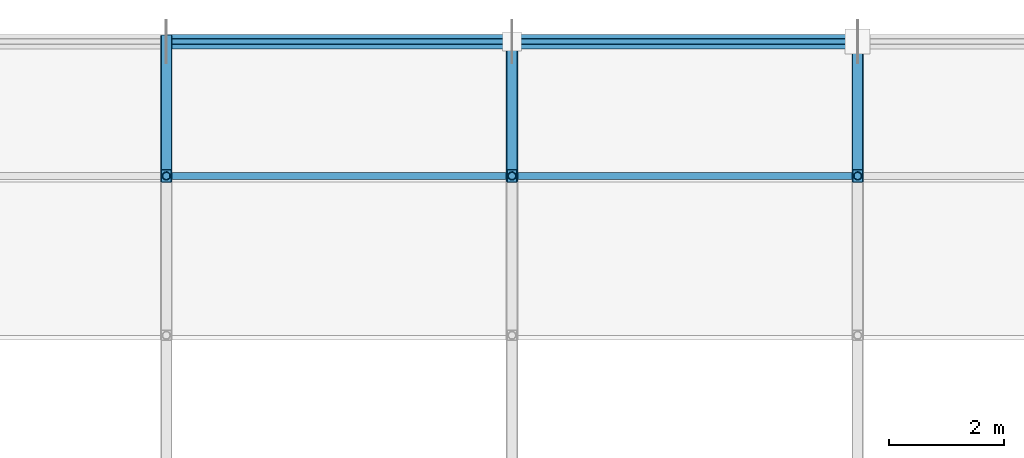
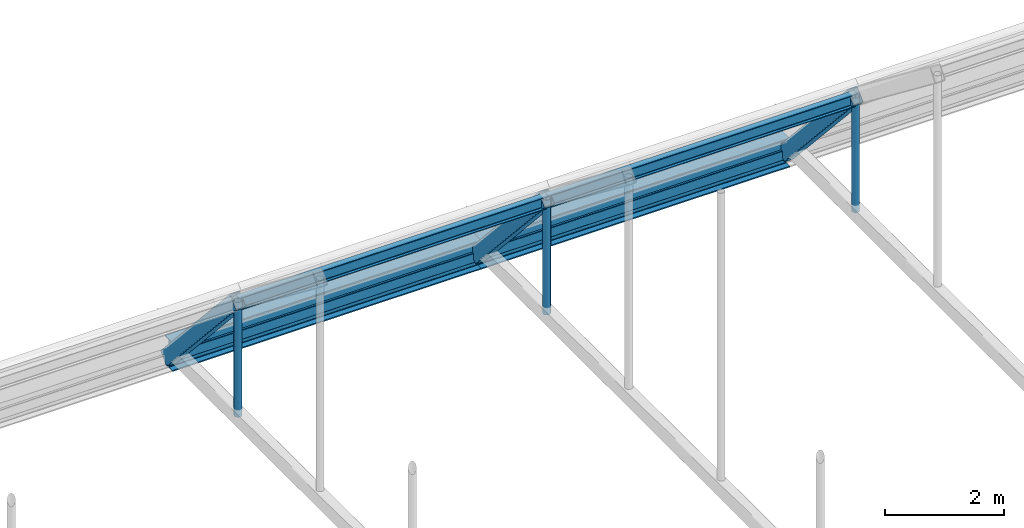
# One storey, part 38 of 63: 7 members, 5 beams.
"""IFC4 building model written with IfcOpenShell, lengths in metres."""

from ifc_helpers import new_model, si_unit, direction, frame, origin, origin_2d, place, context, subcontext, project, spatial, hollow_rectangle, hollow_circle, i_section, extrude, material, material_profile, profile_set, type_object, element, save


model = new_model("IFC4")

# Units and contexts
model_context = context("Model", 3, precision=1e-05, world=origin(), true_north=direction((0.0, 1.0)))
body_context = subcontext(model_context, "Body", "Model", "MODEL_VIEW")
ifc_project = project(units=[si_unit("LENGTHUNIT", "METRE"), si_unit("AREAUNIT", "SQUARE_METRE"), si_unit("VOLUMEUNIT", "CUBIC_METRE"), si_unit("PLANEANGLEUNIT", "RADIAN"), si_unit("MASSUNIT", "GRAM", prefix="KILO")], contexts=[model_context])

# Site, building, storey
site_placement = place(None, origin())
site = spatial("IfcSite", under=ifc_project, at=site_placement, CompositionType="ELEMENT")
building_placement = place(site_placement, origin())
building = spatial("IfcBuilding", under=site, at=building_placement, Name="Varnakota Square Police Headquarters", CompositionType="ELEMENT")
storey_placement = place(building_placement, frame((0.0, 0.0, 22.199951171875)))
storey = spatial("IfcBuildingStorey", under=building, at=storey_placement, Name="L05", CompositionType="ELEMENT", Elevation=22.199951171875)

# Beams
ifc_material = material(Name="Steel IS 2062 Grade 350", Category="steel")
ifc_material_profile_1 = material_profile(ifc_material, i_section(OverallWidth=0.25, OverallDepth=0.60009765625, WebThickness=0.01171875, FlangeThickness=0.023681640625, FilletRadius=0.01708984375, at=origin_2d()), Name="ISWB 600")
ifc_profile_set_1 = profile_set([ifc_material_profile_1], Name="Steel IS 2062 Grade 350")
beam_type_1 = type_object("IfcBeamType", Name="BM-ISWB600", PredefinedType="BEAM", material=ifc_profile_set_1)
for number, where, z_axis, x_axis, name in (
    (1, (72.0, 99.0, -0.300048828125), (1.0, 0.0, 0.0), (0.0, 1.0, 0.0), "Vault V2 north ring beam"),
    (2, (78.0, 99.0, -0.300048828125), (1.0, 0.0, 0.0), (0.0, 1.0, 0.0), "Vault V2 north ring beam"),
):
    element("IfcBeam", number, at=place(storey_placement, frame(where, z_axis=z_axis, x_axis=x_axis)), inside=storey, type_object=beam_type_1, Name=name, PredefinedType="BEAM", context=body_context, shape_type="SweptSolid", body=[
        extrude(i_section(OverallWidth=0.25, OverallDepth=0.60009765625, WebThickness=0.01171875, FlangeThickness=0.023681640625, FilletRadius=0.01708984375, at=origin_2d()), origin(), (0.0, 0.0, 1.0), 6.0),
    ])
ifc_material_profile_2 = material_profile(ifc_material, hollow_rectangle(XDim=0.199951171875, YDim=0.300048828125, WallThickness=0.011962890625, InnerFilletRadius=0.011962890625, OuterFilletRadius=0.02392578125, at=origin_2d()), Name="RHS 300x200x12")
ifc_profile_set_2 = profile_set([ifc_material_profile_2], Name="Steel IS 2062 Grade 350")
beam_type_2 = type_object("IfcBeamType", Name="BM-VR-RHS300", PredefinedType="BEAM", material=ifc_profile_set_2)
for number, where, z_axis, x_axis, name in (
    (3, (72.0, 96.668212890625, 2.20654296875), (0.0, 0.671520631111, -0.740985858159), (-1.0, 0.0, 0.0), "Barrel vault arch rib chord VR-V2-R03-S10"),
    (4, (78.0, 96.668212890625, 2.20654296875), (0.0, 0.671520631111, -0.740985858159), (-1.0, 0.0, 0.0), "Barrel vault arch rib chord VR-V2-R04-S10"),
    (5, (84.0, 96.668212890625, 2.20654296875), (0.0, 0.671520631111, -0.740985858159), (-1.0, 0.0, 0.0), "Barrel vault arch rib chord VR-V2-R05-S10"),
):
    element("IfcBeam", number, at=place(storey_placement, frame(where, z_axis=z_axis, x_axis=x_axis)), inside=storey, type_object=beam_type_2, Name=name, PredefinedType="BEAM", context=body_context, shape_type="SweptSolid", body=[
        extrude(hollow_rectangle(XDim=0.199951171875, YDim=0.300048828125, WallThickness=0.011962890625, InnerFilletRadius=0.011962890625, OuterFilletRadius=0.02392578125, at=origin_2d()), origin(), (0.0, 0.0, 1.0), 3.472412109375),
    ])

# Members
ifc_material_profile_3 = material_profile(ifc_material, hollow_circle(Radius=0.06982421875, WallThickness=0.006103515625, at=origin_2d()), Name="CHS 139.7x6.0")
ifc_profile_set_3 = profile_set([ifc_material_profile_3], Name="Steel IS 2062 Grade 350")
member_type_1 = type_object("IfcMemberType", Name="MEM-HNG-CHS139", PredefinedType="STRUT", material=ifc_profile_set_3)
for number, where, z_axis, x_axis, name in (
    (6, (72.0, 96.668212890625, -0.14990234375), (0.0, 0.0, 1.0), (1.0, 0.0, 0.0), "Barrel vault hanger strut V2-R03-N9"),
    (7, (78.0, 96.668212890625, -0.14990234375), (0.0, 0.0, 1.0), (1.0, 0.0, 0.0), "Barrel vault hanger strut V2-R04-N9"),
    (8, (84.0, 96.668212890625, -0.14990234375), (0.0, 0.0, 1.0), (1.0, 0.0, 0.0), "Barrel vault hanger strut V2-R05-N9"),
):
    element("IfcMember", number, at=place(storey_placement, frame(where, z_axis=z_axis, x_axis=x_axis)), inside=storey, type_object=member_type_1, Name=name, PredefinedType="STRUT", context=body_context, shape_type="SweptSolid", body=[
        extrude(hollow_circle(Radius=0.06982421875, WallThickness=0.006103515625, at=origin_2d()), origin(), (0.0, 0.0, 1.0), 2.3564453125),
    ])
ifc_material_profile_4 = material_profile(ifc_material, i_section(OverallWidth=0.125, OverallDepth=0.25, WebThickness=0.0068359375, FlangeThickness=0.012451171875, FilletRadius=0.012939453125, at=origin_2d()), Name="ISMB 250")
ifc_profile_set_4 = profile_set([ifc_material_profile_4], Name="Steel IS 2062 Grade 350")
member_type_2 = type_object("IfcMemberType", Name="MEM-PUR-ISMB250", PredefinedType="PURLIN", material=ifc_profile_set_4)
for number, where, z_axis, x_axis, name in (
    (9, (72.0, 96.668212890625, 2.156494140625), (1.0, 0.0, 0.0), (0.0, 1.0, 0.0), "Vault roof purlin V2-B03-N09"),
    (10, (78.0, 96.668212890625, 2.156494140625), (1.0, 0.0, 0.0), (0.0, 1.0, 0.0), "Vault roof purlin V2-B04-N09"),
):
    element("IfcMember", number, at=place(storey_placement, frame(where, z_axis=z_axis, x_axis=x_axis)), inside=storey, type_object=member_type_2, Name=name, PredefinedType="PURLIN", context=body_context, shape_type="SweptSolid", body=[
        extrude(i_section(OverallWidth=0.125, OverallDepth=0.25, WebThickness=0.0068359375, FlangeThickness=0.012451171875, FilletRadius=0.012939453125, at=origin_2d()), origin(), (0.0, 0.0, 1.0), 6.0),
    ])
ifc_material_profile_5 = material_profile(ifc_material, hollow_rectangle(XDim=0.10009765625, YDim=0.199951171875, WallThickness=0.008056640625, InnerFilletRadius=0.008056640625, OuterFilletRadius=0.01611328125, at=origin_2d()), Name="RHS 200x100x8")
ifc_profile_set_5 = profile_set([ifc_material_profile_5], Name="Steel IS 2062 Grade 350")
member_type_3 = type_object("IfcMemberType", Name="MEM-PUR-RHS200", PredefinedType="PURLIN", material=ifc_profile_set_5)
for number, where, z_axis, x_axis, name in (
    (11, (72.0, 99.0, -0.377685546875), (1.0, 0.0, 0.0), (0.0, 1.0, 0.0), "Vault roof purlin V2-B03-N10"),
    (12, (78.0, 99.0, -0.377685546875), (1.0, 0.0, 0.0), (0.0, 1.0, 0.0), "Vault roof purlin V2-B04-N10"),
):
    element("IfcMember", number, at=place(storey_placement, frame(where, z_axis=z_axis, x_axis=x_axis)), inside=storey, type_object=member_type_3, Name=name, PredefinedType="PURLIN", context=body_context, shape_type="SweptSolid", body=[
        extrude(hollow_rectangle(XDim=0.10009765625, YDim=0.199951171875, WallThickness=0.008056640625, InnerFilletRadius=0.008056640625, OuterFilletRadius=0.01611328125, at=origin_2d()), origin(), (0.0, 0.0, 1.0), 6.0),
    ])

save(model, "model.ifc")
